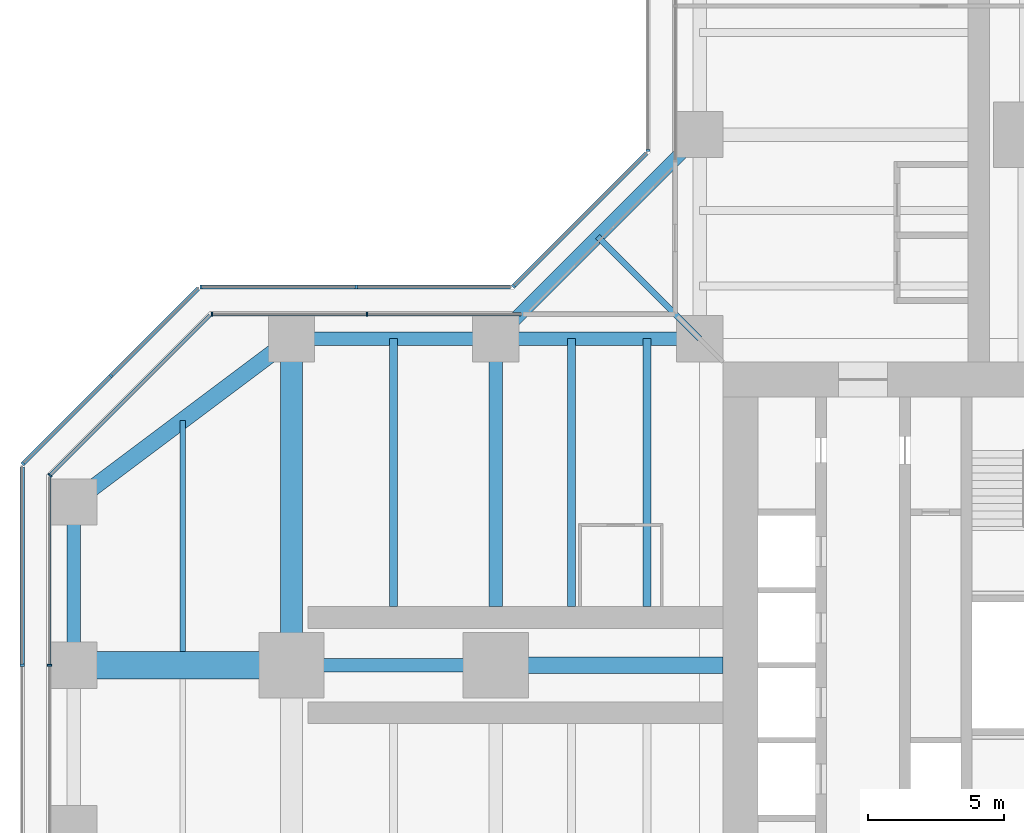
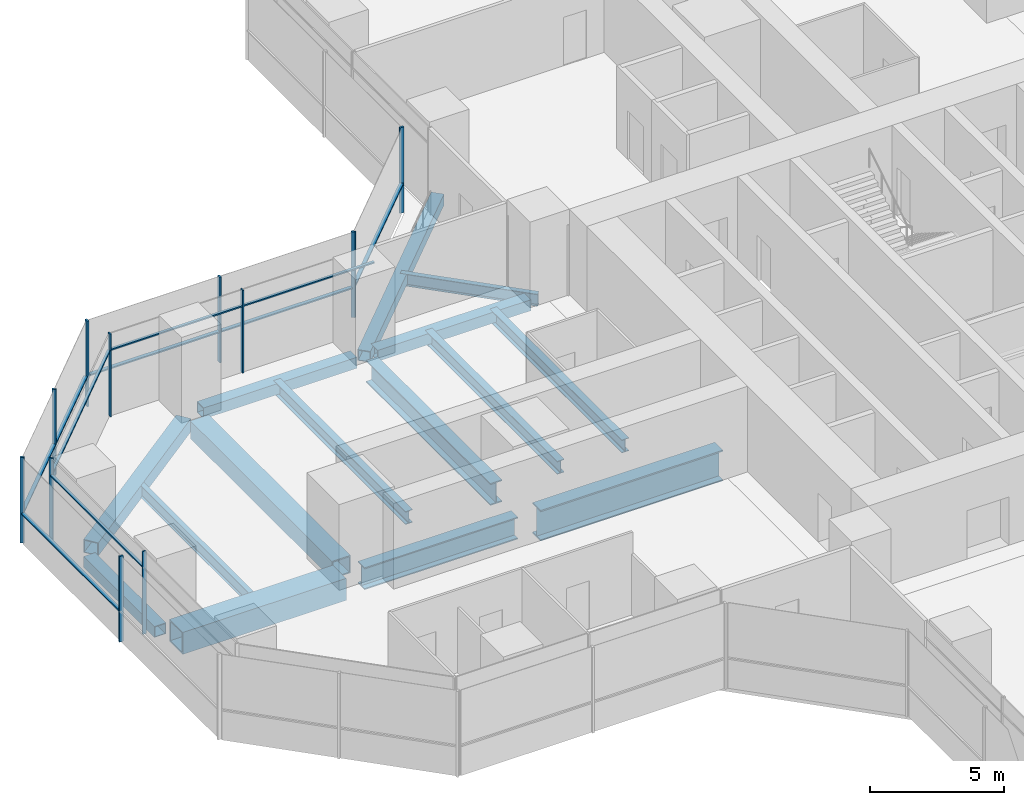
# One storey, part 8 of 22: 21 members, 15 beams, 8 elements without a shape of their own.
"""IFC4 building model written with IfcOpenShell, lengths in metres."""

from ifc_helpers import new_model, si_unit, direction, frame, origin, origin_2d, place, context, subcontext, project, spatial, rectangle, hollow_rectangle, i_section, extrude, material, material_profile, profile_set, type_object, element, aggregate, save


model = new_model("IFC4")

# Units and contexts
model_context = context("Model", 3, precision=1e-05, world=origin(), true_north=direction((0.0, 1.0)))
body_context = subcontext(model_context, "Body", "Model", "MODEL_VIEW")
ifc_project = project(units=[si_unit("LENGTHUNIT", "METRE"), si_unit("AREAUNIT", "SQUARE_METRE"), si_unit("VOLUMEUNIT", "CUBIC_METRE"), si_unit("PLANEANGLEUNIT", "RADIAN"), si_unit("MASSUNIT", "GRAM", prefix="KILO")], contexts=[model_context])

# Site, building, storey
site_placement = place(None, origin())
site = spatial("IfcSite", under=ifc_project, at=site_placement, CompositionType="ELEMENT")
building_placement = place(site_placement, origin())
building = spatial("IfcBuilding", under=site, at=building_placement, Name="Mizan Broadcast Tower", CompositionType="ELEMENT")
storey_placement = place(building_placement, frame((0.0, 0.0, 70.800048828125)))
storey = spatial("IfcBuildingStorey", under=building, at=storey_placement, Name="L14", CompositionType="ELEMENT", Elevation=70.800048828125)

# Beams
ifc_material_1 = material(Name="Steel S355", Category="steel")
ifc_material_profile_1 = material_profile(ifc_material_1, hollow_rectangle(XDim=0.5, YDim=0.5, WallThickness=0.030029296875, at=origin_2d()), Name="BOX 500x500x30")
ifc_profile_set_1 = profile_set([ifc_material_profile_1], Name="Steel S355")
beam_type_1 = type_object("IfcBeamType", Name="EDGE BEAM BOX 500x500x30", PredefinedType="SPANDREL", material=ifc_profile_set_1)
for number, where, z_axis, x_axis, name in (
    (1, (-12.449951171875, 12.0, -0.380126953125), (-1.0, 0.0, 0.0), (0.0, -1.0, 0.0), "Edge beam BOX 500x500x30 L14 west arm"),
    (2, (-19.949951171875, 12.0, -0.380126953125), (-1.0, 0.0, 0.0), (0.0, -1.0, 0.0), "Edge beam BOX 500x500x30 L14 west arm"),
):
    element("IfcBeam", number, at=place(storey_placement, frame(where, z_axis=z_axis, x_axis=x_axis)), inside=storey, type_object=beam_type_1, Name=name, PredefinedType="SPANDREL", context=body_context, shape_type="SweptSolid", body=[
        extrude(hollow_rectangle(XDim=0.5, YDim=0.5, WallThickness=0.030029296875, at=origin_2d()), origin(), (0.0, 0.0, 1.0), 6.60009765625),
    ])
beam_1_placement = place(storey_placement, frame((-35.0, 5.639892578125, -0.380126953125), z_axis=(0.0, -1.0, 0.0), x_axis=(1.0, 0.0, 0.0)))
element("IfcBeam", 3, at=beam_1_placement, inside=storey, type_object=beam_type_1, Name="Edge beam BOX 500x500x30 L14 west arm", PredefinedType="SPANDREL", context=body_context, shape_type="SweptSolid", body=[
    extrude(hollow_rectangle(XDim=0.5, YDim=0.5, WallThickness=0.030029296875, at=origin_2d()), origin(), (0.0, 0.0, 1.0), 5.27978515625),
])
beam_2_placement = place(storey_placement, frame((-12.0, 19.5, -0.380126953125), z_axis=(-0.707106781187, -0.707106781187, 0.0), x_axis=(0.707106781187, -0.707106781187, 0.0)))
element("IfcBeam", 4, at=beam_2_placement, inside=storey, type_object=beam_type_1, Name="Winter garden edge beam L14 N", PredefinedType="SPANDREL", context=body_context, shape_type="SweptSolid", body=[
    extrude(hollow_rectangle(XDim=0.5, YDim=0.5, WallThickness=0.030029296875, at=origin_2d()), origin(), (0.0, 0.0, 1.0), 10.606689453125),
])
ifc_material_2 = material(Name="Steel S355", Category="steel")
ifc_material_profile_2 = material_profile(ifc_material_2, hollow_rectangle(XDim=0.60009765625, YDim=0.60009765625, WallThickness=0.030029296875, at=origin_2d()), Name="BOX 600x600x30")
ifc_profile_set_2 = profile_set([ifc_material_profile_2], Name="Steel S355")
beam_type_2 = type_object("IfcBeamType", Name="EDGE BEAM BOX 600x600x30", PredefinedType="SPANDREL", material=ifc_profile_set_2)
beam_3_placement = place(storey_placement, frame((-27.47998046875, 11.639892578125, -0.429931640625), z_axis=(-0.800013316712, -0.599982243973, 0.0), x_axis=(0.599982243973, -0.800013316712, 0.0)))
element("IfcBeam", 5, at=beam_3_placement, inside=storey, type_object=beam_type_2, Name="Edge beam BOX 600x600x30 L14 west arm", PredefinedType="SPANDREL", context=body_context, shape_type="SweptSolid", body=[
    extrude(hollow_rectangle(XDim=0.60009765625, YDim=0.60009765625, WallThickness=0.030029296875, at=origin_2d()), origin(), (0.0, 0.0, 1.0), 8.7998046875),
])
ifc_material_3 = material(Name="Steel S460", Category="steel")
ifc_material_profile_3 = material_profile(ifc_material_3, hollow_rectangle(XDim=1.0, YDim=1.0, WallThickness=0.06005859375, at=origin_2d()), Name="BOX 1000x1000x60")
ifc_profile_set_3 = profile_set([ifc_material_profile_3], Name="Steel S460")
beam_type_3 = type_object("IfcBeamType", Name="GIRDER BOX 1000x1000x60", PredefinedType="BEAM", material=ifc_profile_set_3)
beam_4_placement = place(storey_placement, frame((-27.47998046875, 0.0, -0.630126953125), z_axis=(-1.0, 0.0, 0.0), x_axis=(0.0, -1.0, 0.0)))
element("IfcBeam", 6, at=beam_4_placement, inside=storey, type_object=beam_type_3, Name="Girder BOX 1000x1000x60 L14 west arm", PredefinedType="BEAM", context=body_context, shape_type="SweptSolid", body=[
    extrude(hollow_rectangle(XDim=1.0, YDim=1.0, WallThickness=0.06005859375, at=origin_2d()), origin(), (0.0, 0.0, 1.0), 7.0400390625),
])
ifc_material_4 = material(Name="Steel S460", Category="steel")
ifc_material_profile_4 = material_profile(ifc_material_4, hollow_rectangle(XDim=0.800048828125, YDim=0.800048828125, WallThickness=0.050048828125, at=origin_2d()), Name="BOX 800x800x50")
ifc_profile_set_4 = profile_set([ifc_material_profile_4], Name="Steel S460")
beam_type_4 = type_object("IfcBeamType", Name="GIRDER BOX 800x800x50", PredefinedType="BEAM", material=ifc_profile_set_4)
beam_5_placement = place(storey_placement, frame((-27.0, 11.280029296875, -0.530029296875), z_axis=(0.0, -1.0, 0.0), x_axis=(1.0, 0.0, 0.0)))
element("IfcBeam", 7, at=beam_5_placement, inside=storey, type_object=beam_type_4, Name="Girder BOX 800x800x50 L14 west arm", PredefinedType="BEAM", context=body_context, shape_type="SweptSolid", body=[
    extrude(hollow_rectangle(XDim=0.800048828125, YDim=0.800048828125, WallThickness=0.050048828125, at=origin_2d()), origin(), (0.0, 0.0, 1.0), 10.56005859375),
])
ifc_material_5 = material(Name="Steel S460", Category="steel")
ifc_material_profile_5 = material_profile(ifc_material_5, i_section(OverallWidth=0.5, OverallDepth=1.0, WebThickness=0.02490234375, FlangeThickness=0.050048828125, at=origin_2d()), Name="WPG 1000x500")
ifc_profile_set_5 = profile_set([ifc_material_profile_5], Name="Steel S460")
beam_type_5 = type_object("IfcBeamType", Name="GIRDER WPG 1000x500", PredefinedType="BEAM", material=ifc_profile_set_5)
beam_6_placement = place(storey_placement, frame((-19.949951171875, 0.0, -0.630126953125), z_axis=(-1.0, 0.0, 0.0), x_axis=(0.0, -1.0, 0.0)))
element("IfcBeam", 8, at=beam_6_placement, inside=storey, type_object=beam_type_5, Name="Girder WPG 1000x500 L14 west arm", PredefinedType="BEAM", context=body_context, shape_type="SweptSolid", body=[
    extrude(i_section(OverallWidth=0.5, OverallDepth=1.0, WebThickness=0.02490234375, FlangeThickness=0.050048828125, at=origin_2d()), origin(), (0.0, 0.0, 1.0), 6.60009765625),
])
beam_7_placement = place(storey_placement, frame((-19.5, 11.408935546875, -0.630126953125), z_axis=(0.0, -1.0, 0.0), x_axis=(1.0, 0.0, 0.0)))
element("IfcBeam", 9, at=beam_7_placement, inside=storey, type_object=beam_type_5, Name="Girder WPG 1000x500 L14 west arm", PredefinedType="BEAM", context=body_context, shape_type="SweptSolid", body=[
    extrude(i_section(OverallWidth=0.5, OverallDepth=1.0, WebThickness=0.02490234375, FlangeThickness=0.050048828125, at=origin_2d()), origin(), (0.0, 0.0, 1.0), 9.259033203125),
])
ifc_material_6 = material(Name="Steel S460", Category="steel")
ifc_material_profile_6 = material_profile(ifc_material_6, i_section(OverallWidth=0.60009765625, OverallDepth=1.39990234375, WebThickness=0.02490234375, FlangeThickness=0.06005859375, at=origin_2d()), Name="WPG 1400x600")
ifc_profile_set_6 = profile_set([ifc_material_profile_6], Name="Steel S460")
beam_type_6 = type_object("IfcBeamType", Name="GIRDER WPG 1400x600", PredefinedType="BEAM", material=ifc_profile_set_6)
beam_8_placement = place(storey_placement, frame((-11.14990234375, 0.0, -0.830078125), z_axis=(-1.0, 0.0, 0.0), x_axis=(0.0, -1.0, 0.0)))
element("IfcBeam", 10, at=beam_8_placement, inside=storey, type_object=beam_type_6, Name="Girder WPG 1400x600 L14 west arm", PredefinedType="BEAM", context=body_context, shape_type="SweptSolid", body=[
    extrude(i_section(OverallWidth=0.60009765625, OverallDepth=1.39990234375, WebThickness=0.02490234375, FlangeThickness=0.06005859375, at=origin_2d()), origin(), (0.0, 0.0, 1.0), 7.84912109375),
])

# Curtain wall, members
ifc_material_7 = material(Name="Aluminium framed glazing", Category="aluminium")
curtain_wall_type_1 = type_object("IfcCurtainWallType", Name="INNER SKIN LOW ZONE", PredefinedType="USERDEFINED", material=ifc_material_7)
curtain_wall_1_placement = place(storey_placement, origin())
curtain_wall_1 = element("IfcCurtainWall", 11, at=curtain_wall_1_placement, inside=storey, type_object=curtain_wall_type_1, Name="Inner skin low zone L14 W side", ObjectType="INNER SKIN LOW ZONE", PredefinedType="USERDEFINED")
ifc_material_8 = material(Name="Aluminium, pale anodised", Category="aluminium")
ifc_material_profile_7 = material_profile(ifc_material_8, rectangle(XDim=0.159912109375, YDim=0.06005859375, at=origin_2d()), Name="MULLION 160x60")
ifc_profile_set_7 = profile_set([ifc_material_profile_7], Name="Aluminium, pale anodised")
member_type_1 = type_object("IfcMemberType", Name="INNER SKIN MULLION 60x160", PredefinedType="MULLION", material=ifc_profile_set_7)
member_1_placement = place(storey_placement, frame((-24.229248046875, 12.89990234375, 0.0), z_axis=(0.0, 0.0, 1.0), x_axis=(0.0, -1.0, 0.0)))
member_1 = element("IfcMember", 12, at=member_1_placement, type_object=member_type_1, Name="Inner skin low zone L14 W side mullion 2", PredefinedType="MULLION", context=body_context, shape_type="SweptSolid", body=[
    extrude(rectangle(XDim=0.159912109375, YDim=0.06005859375, at=origin_2d()), origin(), (0.0, 0.0, 1.0), 3.77001953125),
])
member_2_placement = place(storey_placement, frame((-29.928466796875, 12.89990234375, 0.0), z_axis=(0.0, 0.0, 1.0), x_axis=(0.0, -1.0, 0.0)))
member_2 = element("IfcMember", 13, at=member_2_placement, type_object=member_type_1, Name="Inner skin low zone L14 W side mullion 3", PredefinedType="MULLION", context=body_context, shape_type="SweptSolid", body=[
    extrude(rectangle(XDim=0.159912109375, YDim=0.06005859375, at=origin_2d()), origin(), (0.0, 0.0, 1.0), 3.77001953125),
])

# Curtain wall, member
curtain_wall_2_placement = place(storey_placement, origin())
curtain_wall_2 = element("IfcCurtainWall", 14, at=curtain_wall_2_placement, inside=storey, type_object=curtain_wall_type_1, Name="Inner skin low zone L14 W chamfer", ObjectType="INNER SKIN LOW ZONE", PredefinedType="USERDEFINED")
member_3_placement = place(storey_placement, frame((-35.87890625, 6.979736328125, 0.0), z_axis=(0.0, 0.0, 1.0), x_axis=(0.707106781187, -0.707106781187, 0.0)))
member_3 = element("IfcMember", 15, at=member_3_placement, type_object=member_type_1, Name="Inner skin low zone L14 W chamfer mullion 2", PredefinedType="MULLION", context=body_context, shape_type="SweptSolid", body=[
    extrude(rectangle(XDim=0.159912109375, YDim=0.06005859375, at=origin_2d()), origin(), (0.0, 0.0, 1.0), 3.77001953125),
])

curtain_wall_3_placement = place(storey_placement, origin())
curtain_wall_3 = element("IfcCurtainWall", 16, at=curtain_wall_3_placement, inside=storey, type_object=curtain_wall_type_1, Name="Inner skin low zone L14 W end", ObjectType="INNER SKIN LOW ZONE", PredefinedType="USERDEFINED")
member_4_placement = place(storey_placement, frame((-35.89990234375, 0.0, 0.0), z_axis=(0.0, 0.0, 1.0), x_axis=(1.0, 0.0, 0.0)))
member_4 = element("IfcMember", 17, at=member_4_placement, type_object=member_type_1, Name="Inner skin low zone L14 W end mullion 2", PredefinedType="MULLION", context=body_context, shape_type="SweptSolid", body=[
    extrude(rectangle(XDim=0.159912109375, YDim=0.06005859375, at=origin_2d()), origin(), (0.0, 0.0, 1.0), 3.77001953125),
])

# Member
ifc_material_9 = material(Name="Aluminium, pale anodised", Category="aluminium")
ifc_material_profile_8 = material_profile(ifc_material_9, rectangle(XDim=0.1201171875, YDim=0.06005859375, at=origin_2d()), Name="TRANSOM 120x60")
ifc_profile_set_8 = profile_set([ifc_material_profile_8], Name="Aluminium, pale anodised")
member_type_2 = type_object("IfcMemberType", Name="INNER SKIN TRANSOM 60x120", PredefinedType="USERDEFINED", material=ifc_profile_set_8)
member_5_placement = place(storey_placement, frame((-18.56005859375, 12.89990234375, 3.030029296875), z_axis=(-1.0, 0.0, 0.0), x_axis=(0.0, -1.0, 0.0)))
member_5 = element("IfcMember", 18, at=member_5_placement, type_object=member_type_2, Name="Inner skin low zone L14 W side transom 1.1", ObjectType="TRANSOM", PredefinedType="USERDEFINED", context=body_context, shape_type="SweptSolid", body=[
    extrude(rectangle(XDim=0.1201171875, YDim=0.06005859375, at=origin_2d()), origin(), (0.0, 0.0, 1.0), 5.63916015625),
])

member_6_placement = place(storey_placement, frame((-24.25927734375, 12.89990234375, 3.030029296875), z_axis=(-1.0, 0.0, 0.0), x_axis=(0.0, -1.0, 0.0)))
member_6 = element("IfcMember", 19, at=member_6_placement, type_object=member_type_2, Name="Inner skin low zone L14 W side transom 2.1", ObjectType="TRANSOM", PredefinedType="USERDEFINED", context=body_context, shape_type="SweptSolid", body=[
    extrude(rectangle(XDim=0.1201171875, YDim=0.06005859375, at=origin_2d()), origin(), (0.0, 0.0, 1.0), 5.639404296875),
])

aggregate(curtain_wall_1, [member_1, member_2, member_5, member_6])

member_7_placement = place(storey_placement, frame((-30.0009765625, 12.857666015625, 3.030029296875), z_axis=(-0.707106781187, -0.707106781187, 0.0), x_axis=(0.707106781187, -0.707106781187, 0.0)))
member_7 = element("IfcMember", 20, at=member_7_placement, type_object=member_type_2, Name="Inner skin low zone L14 W chamfer transom 1.1", ObjectType="TRANSOM", PredefinedType="USERDEFINED", context=body_context, shape_type="SweptSolid", body=[
    extrude(rectangle(XDim=0.1201171875, YDim=0.06005859375, at=origin_2d()), origin(), (0.0, 0.0, 1.0), 8.28271484375),
])

aggregate(curtain_wall_2, [member_3, member_7])

member_8_placement = place(storey_placement, frame((-35.89990234375, 6.898681640625, 3.030029296875), z_axis=(0.0, -1.0, 0.0), x_axis=(1.0, 0.0, 0.0)))
member_8 = element("IfcMember", 21, at=member_8_placement, type_object=member_type_2, Name="Inner skin low zone L14 W end transom 1.1", ObjectType="TRANSOM", PredefinedType="USERDEFINED", context=body_context, shape_type="SweptSolid", body=[
    extrude(rectangle(XDim=0.1201171875, YDim=0.06005859375, at=origin_2d()), origin(), (0.0, 0.0, 1.0), 6.86865234375),
])

aggregate(curtain_wall_3, [member_4, member_8])

# Curtain wall, member
ifc_material_10 = material(Name="Aluminium framed glazing", Category="aluminium")
curtain_wall_type_2 = type_object("IfcCurtainWallType", Name="OUTER SKIN", PredefinedType="USERDEFINED", material=ifc_material_10)
curtain_wall_4_placement = place(storey_placement, origin())
curtain_wall_4 = element("IfcCurtainWall", 22, at=curtain_wall_4_placement, inside=storey, type_object=curtain_wall_type_2, Name="Outer skin L14 N side", ObjectType="OUTER SKIN", PredefinedType="USERDEFINED")
ifc_material_11 = material(Name="Aluminium, pale anodised", Category="aluminium")
ifc_material_profile_9 = material_profile(ifc_material_11, rectangle(XDim=0.159912109375, YDim=0.080078125, at=origin_2d()), Name="MULLION 160x80")
ifc_profile_set_9 = profile_set([ifc_material_profile_9], Name="Aluminium, pale anodised")
member_type_3 = type_object("IfcMemberType", Name="OUTER SKIN MULLION 80x160", PredefinedType="MULLION", material=ifc_profile_set_9)
member_9_placement = place(storey_placement, frame((-13.89990234375, 18.912841796875, 0.0), z_axis=(0.0, 0.0, 1.0), x_axis=(1.0, 0.0, 0.0)))
member_9 = element("IfcMember", 23, at=member_9_placement, type_object=member_type_3, Name="Outer skin L14 N side mullion 3", PredefinedType="MULLION", context=body_context, shape_type="SweptSolid", body=[
    extrude(rectangle(XDim=0.159912109375, YDim=0.080078125, at=origin_2d()), origin(), (0.0, 0.0, 1.0), 3.89990234375),
])
aggregate(curtain_wall_4, [member_9])

curtain_wall_5_placement = place(storey_placement, origin())
curtain_wall_5 = element("IfcCurtainWall", 24, at=curtain_wall_5_placement, inside=storey, type_object=curtain_wall_type_2, Name="Outer skin L14 W chamfer", ObjectType="OUTER SKIN", PredefinedType="USERDEFINED")
member_10_placement = place(storey_placement, frame((-18.844482421875, 13.92822265625, 0.0), z_axis=(0.0, 0.0, 1.0), x_axis=(0.707106781187, -0.707106781187, 0.0)))
member_10 = element("IfcMember", 25, at=member_10_placement, type_object=member_type_3, Name="Outer skin L14 W chamfer mullion 2", PredefinedType="MULLION", context=body_context, shape_type="SweptSolid", body=[
    extrude(rectangle(XDim=0.159912109375, YDim=0.080078125, at=origin_2d()), origin(), (0.0, 0.0, 1.0), 3.89990234375),
])

# Curtain wall, members
curtain_wall_6_placement = place(storey_placement, origin())
curtain_wall_6 = element("IfcCurtainWall", 26, at=curtain_wall_6_placement, inside=storey, type_object=curtain_wall_type_2, Name="Outer skin L14 W side", ObjectType="OUTER SKIN", PredefinedType="USERDEFINED")
member_11_placement = place(storey_placement, frame((-24.622802734375, 13.89990234375, 0.0), z_axis=(0.0, 0.0, 1.0), x_axis=(0.0, -1.0, 0.0)))
member_11 = element("IfcMember", 27, at=member_11_placement, type_object=member_type_3, Name="Outer skin L14 W side mullion 2", PredefinedType="MULLION", context=body_context, shape_type="SweptSolid", body=[
    extrude(rectangle(XDim=0.159912109375, YDim=0.080078125, at=origin_2d()), origin(), (0.0, 0.0, 1.0), 3.89990234375),
])
member_12_placement = place(storey_placement, frame((-30.332763671875, 13.89990234375, 0.0), z_axis=(0.0, 0.0, 1.0), x_axis=(0.0, -1.0, 0.0)))
member_12 = element("IfcMember", 28, at=member_12_placement, type_object=member_type_3, Name="Outer skin L14 W side mullion 3", PredefinedType="MULLION", context=body_context, shape_type="SweptSolid", body=[
    extrude(rectangle(XDim=0.159912109375, YDim=0.080078125, at=origin_2d()), origin(), (0.0, 0.0, 1.0), 3.89990234375),
])

curtain_wall_7_placement = place(storey_placement, origin())
curtain_wall_7 = element("IfcCurtainWall", 29, at=curtain_wall_7_placement, inside=storey, type_object=curtain_wall_type_2, Name="Outer skin L14 W chamfer", ObjectType="OUTER SKIN", PredefinedType="USERDEFINED")
member_13_placement = place(storey_placement, frame((-33.636474609375, 10.636474609375, 0.0), z_axis=(0.0, 0.0, 1.0), x_axis=(0.707106781187, -0.707106781187, 0.0)))
member_13 = element("IfcMember", 30, at=member_13_placement, type_object=member_type_3, Name="Outer skin L14 W chamfer mullion 2", PredefinedType="MULLION", context=body_context, shape_type="SweptSolid", body=[
    extrude(rectangle(XDim=0.159912109375, YDim=0.080078125, at=origin_2d()), origin(), (0.0, 0.0, 1.0), 3.89990234375),
])
member_14_placement = place(storey_placement, frame((-36.871826171875, 7.401123046875, 0.0), z_axis=(0.0, 0.0, 1.0), x_axis=(0.707106781187, -0.707106781187, 0.0)))
member_14 = element("IfcMember", 31, at=member_14_placement, type_object=member_type_3, Name="Outer skin L14 W chamfer mullion 3", PredefinedType="MULLION", context=body_context, shape_type="SweptSolid", body=[
    extrude(rectangle(XDim=0.159912109375, YDim=0.080078125, at=origin_2d()), origin(), (0.0, 0.0, 1.0), 3.89990234375),
])

# Curtain wall, member
curtain_wall_8_placement = place(storey_placement, origin())
curtain_wall_8 = element("IfcCurtainWall", 32, at=curtain_wall_8_placement, inside=storey, type_object=curtain_wall_type_2, Name="Outer skin L14 W end", ObjectType="OUTER SKIN", PredefinedType="USERDEFINED")
member_15_placement = place(storey_placement, frame((-36.89990234375, 0.0, 0.0), z_axis=(0.0, 0.0, 1.0), x_axis=(1.0, 0.0, 0.0)))
member_15 = element("IfcMember", 33, at=member_15_placement, type_object=member_type_3, Name="Outer skin L14 W end mullion 2", PredefinedType="MULLION", context=body_context, shape_type="SweptSolid", body=[
    extrude(rectangle(XDim=0.159912109375, YDim=0.080078125, at=origin_2d()), origin(), (0.0, 0.0, 1.0), 3.89990234375),
])

# Member
ifc_material_12 = material(Name="Aluminium, pale anodised", Category="aluminium")
ifc_material_profile_10 = material_profile(ifc_material_12, rectangle(XDim=0.159912109375, YDim=0.06005859375, at=origin_2d()), Name="TRANSOM 160x60")
ifc_profile_set_10 = profile_set([ifc_material_profile_10], Name="Aluminium, pale anodised")
member_type_4 = type_object("IfcMemberType", Name="OUTER SKIN TRANSOM 60x160", PredefinedType="USERDEFINED", material=ifc_profile_set_10)
member_16_placement = place(storey_placement, frame((-13.95654296875, 18.816162109375, 1.39990234375), z_axis=(-0.707106781187, -0.707106781187, 0.0), x_axis=(0.707106781187, -0.707106781187, 0.0)))
member_16 = element("IfcMember", 34, at=member_16_placement, type_object=member_type_4, Name="Outer skin L14 W chamfer transom 1.1", ObjectType="TRANSOM", PredefinedType="USERDEFINED", context=body_context, shape_type="SweptSolid", body=[
    extrude(rectangle(XDim=0.159912109375, YDim=0.06005859375, at=origin_2d()), origin(), (0.0, 0.0, 1.0), 6.87255859375),
])

aggregate(curtain_wall_5, [member_10, member_16])

member_17_placement = place(storey_placement, frame((-18.952880859375, 13.89990234375, 1.39990234375), z_axis=(-1.0, 0.0, 0.0), x_axis=(0.0, -1.0, 0.0)))
member_17 = element("IfcMember", 35, at=member_17_placement, type_object=member_type_4, Name="Outer skin L14 W side transom 1.1", ObjectType="TRANSOM", PredefinedType="USERDEFINED", context=body_context, shape_type="SweptSolid", body=[
    extrude(rectangle(XDim=0.159912109375, YDim=0.06005859375, at=origin_2d()), origin(), (0.0, 0.0, 1.0), 5.6298828125),
])

member_18_placement = place(storey_placement, frame((-24.662841796875, 13.89990234375, 1.39990234375), z_axis=(-1.0, 0.0, 0.0), x_axis=(0.0, -1.0, 0.0)))
member_18 = element("IfcMember", 36, at=member_18_placement, type_object=member_type_4, Name="Outer skin L14 W side transom 2.1", ObjectType="TRANSOM", PredefinedType="USERDEFINED", context=body_context, shape_type="SweptSolid", body=[
    extrude(rectangle(XDim=0.159912109375, YDim=0.06005859375, at=origin_2d()), origin(), (0.0, 0.0, 1.0), 5.6298828125),
])

aggregate(curtain_wall_6, [member_11, member_12, member_17, member_18])

member_19_placement = place(storey_placement, frame((-30.429443359375, 13.843505859375, 1.39990234375), z_axis=(-0.707106781187, -0.707106781187, 0.0), x_axis=(0.707106781187, -0.707106781187, 0.0)))
member_19 = element("IfcMember", 37, at=member_19_placement, type_object=member_type_4, Name="Outer skin L14 W chamfer transom 1.1", ObjectType="TRANSOM", PredefinedType="USERDEFINED", context=body_context, shape_type="SweptSolid", body=[
    extrude(rectangle(XDim=0.159912109375, YDim=0.06005859375, at=origin_2d()), origin(), (0.0, 0.0, 1.0), 4.495361328125),
])

member_20_placement = place(storey_placement, frame((-33.664794921875, 10.608154296875, 1.39990234375), z_axis=(-0.707106781187, -0.707106781187, 0.0), x_axis=(0.707106781187, -0.707106781187, 0.0)))
member_20 = element("IfcMember", 38, at=member_20_placement, type_object=member_type_4, Name="Outer skin L14 W chamfer transom 2.1", ObjectType="TRANSOM", PredefinedType="USERDEFINED", context=body_context, shape_type="SweptSolid", body=[
    extrude(rectangle(XDim=0.159912109375, YDim=0.06005859375, at=origin_2d()), origin(), (0.0, 0.0, 1.0), 4.495361328125),
])

aggregate(curtain_wall_7, [member_13, member_14, member_19, member_20])

member_21_placement = place(storey_placement, frame((-36.89990234375, 7.292724609375, 1.39990234375), z_axis=(0.0, -1.0, 0.0), x_axis=(1.0, 0.0, 0.0)))
member_21 = element("IfcMember", 39, at=member_21_placement, type_object=member_type_4, Name="Outer skin L14 W end transom 1.1", ObjectType="TRANSOM", PredefinedType="USERDEFINED", context=body_context, shape_type="SweptSolid", body=[
    extrude(rectangle(XDim=0.159912109375, YDim=0.06005859375, at=origin_2d()), origin(), (0.0, 0.0, 1.0), 7.252685546875),
])

aggregate(curtain_wall_8, [member_15, member_21])

# Beams
ifc_material_13 = material(Name="Steel S355", Category="steel")
ifc_material_profile_11 = material_profile(ifc_material_13, i_section(OverallWidth=0.300048828125, OverallDepth=0.590087890625, WebThickness=0.012939453125, FlangeThickness=0.02490234375, FilletRadius=0.027099609375, at=origin_2d()), Name="HEA 600")
ifc_profile_set_11 = profile_set([ifc_material_profile_11], Name="Steel S355")
beam_type_7 = type_object("IfcBeamType", Name="SECONDARY BEAM HEA 600", PredefinedType="JOIST", material=ifc_profile_set_11)
for number, where, z_axis, x_axis, name in (
    (40, (-13.933349609375, 12.0, -0.425048828125), (0.0, -1.0, 0.0), (1.0, 0.0, 0.0), "Secondary beam HEA 600 L14 west arm"),
    (41, (-16.716552734375, 12.0, -0.425048828125), (0.0, -1.0, 0.0), (1.0, 0.0, 0.0), "Secondary beam HEA 600 L14 west arm"),
    (42, (-23.25, 12.0, -0.425048828125), (0.0, -1.0, 0.0), (1.0, 0.0, 0.0), "Secondary beam HEA 600 L14 west arm"),
):
    element("IfcBeam", number, at=place(storey_placement, frame(where, z_axis=z_axis, x_axis=x_axis)), inside=storey, type_object=beam_type_7, Name=name, PredefinedType="JOIST", context=body_context, shape_type="SweptSolid", body=[
        extrude(i_section(OverallWidth=0.300048828125, OverallDepth=0.590087890625, WebThickness=0.012939453125, FlangeThickness=0.02490234375, FilletRadius=0.027099609375, at=origin_2d()), origin(), (0.0, 0.0, 1.0), 9.85009765625),
    ])
ifc_material_14 = material(Name="Steel S355", Category="steel")
ifc_material_profile_12 = material_profile(ifc_material_14, i_section(OverallWidth=0.2099609375, OverallDepth=0.550048828125, WebThickness=0.010986328125, FlangeThickness=0.01708984375, FilletRadius=0.02392578125, at=origin_2d()), Name="IPE 550")
ifc_profile_set_12 = profile_set([ifc_material_profile_12], Name="Steel S355")
beam_type_8 = type_object("IfcBeamType", Name="SECONDARY BEAM IPE 550", PredefinedType="JOIST", material=ifc_profile_set_12)
beam_9_placement = place(storey_placement, frame((-31.0, 9.0, -0.405029296875), z_axis=(0.0, -1.0, 0.0), x_axis=(1.0, 0.0, 0.0)))
element("IfcBeam", 43, at=beam_9_placement, inside=storey, type_object=beam_type_8, Name="Secondary beam IPE 550 L14 west arm", PredefinedType="JOIST", context=body_context, shape_type="SweptSolid", body=[
    extrude(i_section(OverallWidth=0.2099609375, OverallDepth=0.550048828125, WebThickness=0.010986328125, FlangeThickness=0.01708984375, FilletRadius=0.02392578125, at=origin_2d()), origin(), (0.0, 0.0, 1.0), 8.5),
])
beam_10_placement = place(storey_placement, frame((-12.0, 12.0, -0.405029296875), z_axis=(-0.707106781187, 0.707106781187, 0.0), x_axis=(-0.707106781187, -0.707106781187, 0.0)))
element("IfcBeam", 44, at=beam_10_placement, inside=storey, type_object=beam_type_8, Name="Winter garden beam L14 N", PredefinedType="JOIST", context=body_context, shape_type="SweptSolid", body=[
    extrude(i_section(OverallWidth=0.2099609375, OverallDepth=0.550048828125, WebThickness=0.010986328125, FlangeThickness=0.01708984375, FilletRadius=0.02392578125, at=origin_2d()), origin(), (0.0, 0.0, 1.0), 5.30322265625),
])

save(model, "model.ifc")
